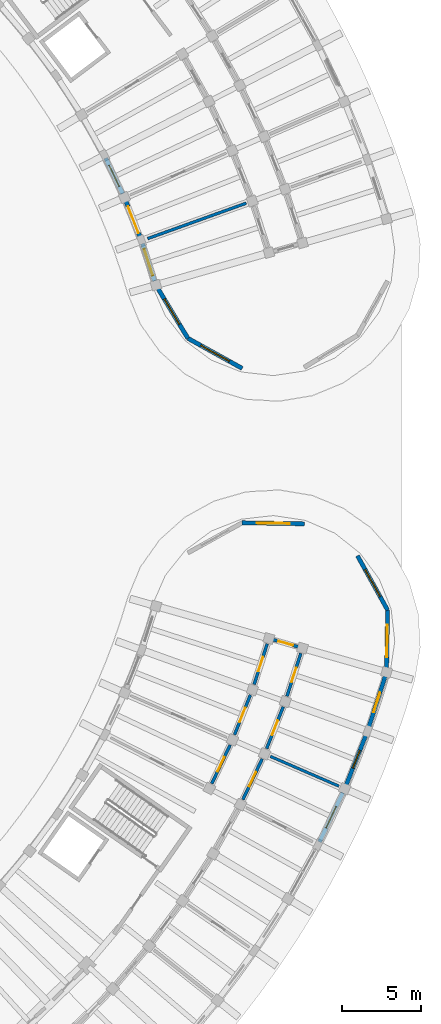
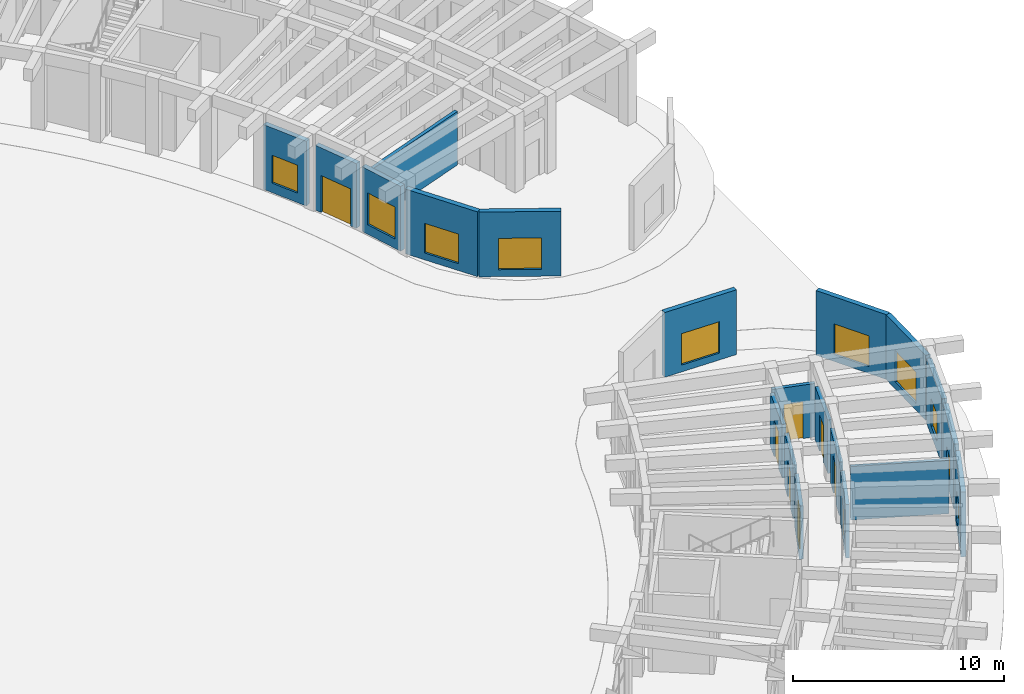
# One storey, part 104 of 132: 20 walls, 10 windows, 8 doors, 18 openings.
"""IFC4 building model written with IfcOpenShell, lengths in metres."""

from ifc_helpers import new_model, si_unit, direction, frame, frame_2d, origin, place, context, subcontext, project, spatial, rectangle, extrude, material, layer, layer_set, type_object, element, fill, save


model = new_model("IFC4")

# Units and contexts
model_context = context("Model", 3, precision=1e-05, world=origin(), true_north=direction((0.0, 1.0)))
body_context = subcontext(model_context, "Body", "Model", "MODEL_VIEW")
ifc_project = project(units=[si_unit("LENGTHUNIT", "METRE"), si_unit("AREAUNIT", "SQUARE_METRE"), si_unit("VOLUMEUNIT", "CUBIC_METRE"), si_unit("PLANEANGLEUNIT", "RADIAN"), si_unit("MASSUNIT", "GRAM", prefix="KILO")], contexts=[model_context])

# Site, building, storey
site_placement = place(None, origin())
site = spatial("IfcSite", under=ifc_project, at=site_placement, CompositionType="ELEMENT")
building_placement = place(site_placement, origin())
building = spatial("IfcBuilding", under=site, at=building_placement, Name="Tanwirah Colonnade Gardens", CompositionType="ELEMENT")
storey_placement = place(building_placement, origin())
storey = spatial("IfcBuildingStorey", under=building, at=storey_placement, Name="L00", CompositionType="ELEMENT", Elevation=0.0)

# Wall, opening, window
ifc_material_1 = material(Name="Limestone architectural precast concrete C40/50", Category="masonry")
ifc_layer_1 = layer(ifc_material_1, 0.260009765625)
ifc_layer_set_1 = layer_set([ifc_layer_1], Name="Limestone architectural precast concrete C40/50")
wall_type_1 = type_object("IfcWallType", Name="EW-PC260", PredefinedType="SOLIDWALL", material=ifc_layer_set_1)
wall_1_placement = place(storey_placement, frame((174.020263671875, 37.40087890625, 0.0), z_axis=(0.0, 0.0, 1.0), x_axis=(0.428562647062, 0.903512068289, 0.0)))
wall_1 = element("IfcWall", 1, at=wall_1_placement, inside=storey, type_object=wall_type_1, Name="Block D L00 OUT Precast Facade Wall 13", PredefinedType="SOLIDWALL", context=body_context, shape_type="SweptSolid", body=[
    extrude(rectangle(XDim=3.436767578125, YDim=0.260009765625, at=frame_2d((1.71826171875, 0.0))), origin(), (0.0, 0.0, 1.0), 3.7548828125),
])
opening_1_placement = place(wall_1_placement, frame((0.978515625, 0.0, 0.550048828125)))
opening_1 = element("IfcOpeningElement", 2, at=opening_1_placement, cuts=wall_1, Name="Opening WIN-T19", PredefinedType="OPENING", context=body_context, shape_type="SweptSolid", body=[
    extrude(rectangle(XDim=1.47998046875, YDim=1.6201171875, at=frame_2d((0.739990234375, 0.81005859375))), frame((0.0, 0.139892578125, 0.0), z_axis=(0.0, -1.0, 0.0), x_axis=(1.0, 0.0, 0.0)), (0.0, 0.0, 1.0), 0.280029296875),
])
ifc_material_2 = material(Name="Thermally broken bronze aluminium and solar low-E double glazing", Category="aluminium")
window_type_1 = type_object("IfcWindowType", Name="WIN-T19", PartitioningType="DOUBLE_PANEL_VERTICAL", PredefinedType="WINDOW", material=ifc_material_2)
window_1_placement = place(opening_1_placement, origin())
window_1 = element("IfcWindow", 3, at=window_1_placement, inside=storey, type_object=window_type_1, Name="Facade window D-L00-OUT-13", OverallHeight=1.6201171875, OverallWidth=1.47998046875, PartitioningType="SINGLE_PANEL", PredefinedType="WINDOW", context=body_context, shape_type="SweptSolid", body=[
    extrude(rectangle(XDim=1.47998046875, YDim=1.6201171875, at=frame_2d((0.739990234375, 0.81005859375))), frame((0.0, 0.030029296875, 0.0), z_axis=(0.0, -1.0, 0.0), x_axis=(1.0, 0.0, 0.0)), (0.0, 0.0, 1.0), 0.06005859375),
])
fill(opening_1, window_1)

wall_2_placement = place(storey_placement, frame((175.712158203125, 41.01025390625, 0.0), z_axis=(0.0, 0.0, 1.0), x_axis=(0.368547399693, 0.929608957669, 0.0)))
wall_2 = element("IfcWall", 4, at=wall_2_placement, inside=storey, type_object=wall_type_1, Name="Block D L00 OUT Precast Facade Wall 14", PredefinedType="SOLIDWALL", context=body_context, shape_type="SweptSolid", body=[
    extrude(rectangle(XDim=3.436767578125, YDim=0.260009765625, at=frame_2d((1.71826171875, 0.0))), origin(), (0.0, 0.0, 1.0), 3.7548828125),
])
opening_2_placement = place(wall_2_placement, frame((1.118408203125, 0.0, 0.550048828125)))
opening_2 = element("IfcOpeningElement", 5, at=opening_2_placement, cuts=wall_2, Name="Opening WIN-U02", PredefinedType="OPENING", context=body_context, shape_type="SweptSolid", body=[
    extrude(rectangle(XDim=1.199951171875, YDim=1.510009765625, at=frame_2d((0.60009765625, 0.7548828125))), frame((0.0, 0.139892578125, 0.0), z_axis=(0.0, -1.0, 0.0), x_axis=(1.0, 0.0, 0.0)), (0.0, 0.0, 1.0), 0.280029296875),
])
window_type_2 = type_object("IfcWindowType", Name="WIN-U02", PartitioningType="DOUBLE_PANEL_VERTICAL", PredefinedType="WINDOW", material=ifc_material_2)
window_2_placement = place(opening_2_placement, origin())
window_2 = element("IfcWindow", 6, at=window_2_placement, inside=storey, type_object=window_type_2, Name="Facade window D-L00-OUT-14", OverallHeight=1.510009765625, OverallWidth=1.199951171875, PartitioningType="SINGLE_PANEL", PredefinedType="WINDOW", context=body_context, shape_type="SweptSolid", body=[
    extrude(rectangle(XDim=1.199951171875, YDim=1.510009765625, at=frame_2d((0.60009765625, 0.7548828125))), frame((0.0, 0.030029296875, 0.0), z_axis=(0.0, -1.0, 0.0), x_axis=(1.0, 0.0, 0.0)), (0.0, 0.0, 1.0), 0.06005859375),
])
fill(opening_2, window_2)

wall_3_placement = place(storey_placement, frame((177.103759765625, 44.55322265625, 0.0), z_axis=(0.0, 0.0, 1.0), x_axis=(0.306963342814, 0.951721338506, 0.0)))
wall_3 = element("IfcWall", 7, at=wall_3_placement, inside=storey, type_object=wall_type_1, Name="Block D L00 OUT Precast Facade Wall 15", PredefinedType="SOLIDWALL", context=body_context, shape_type="SweptSolid", body=[
    extrude(rectangle(XDim=3.436767578125, YDim=0.260009765625, at=frame_2d((1.71826171875, 0.0))), origin(), (0.0, 0.0, 1.0), 3.7548828125),
])
opening_3_placement = place(wall_3_placement, frame((1.058349609375, 0.0, 0.550048828125)))
opening_3 = element("IfcOpeningElement", 8, at=opening_3_placement, cuts=wall_3, Name="Opening WIN-U05", PredefinedType="OPENING", context=body_context, shape_type="SweptSolid", body=[
    extrude(rectangle(XDim=1.320068359375, YDim=1.5849609375, at=frame_2d((0.66015625, 0.79248046875))), frame((0.0, 0.139892578125, 0.0), z_axis=(0.0, -1.0, 0.0), x_axis=(1.0, 0.0, 0.0)), (0.0, 0.0, 1.0), 0.280029296875),
])
window_type_3 = type_object("IfcWindowType", Name="WIN-U05", PartitioningType="DOUBLE_PANEL_VERTICAL", PredefinedType="WINDOW", material=ifc_material_2)
window_3_placement = place(opening_3_placement, origin())
window_3 = element("IfcWindow", 9, at=window_3_placement, inside=storey, type_object=window_type_3, Name="Facade window D-L00-OUT-15", OverallHeight=1.5849609375, OverallWidth=1.320068359375, PartitioningType="SINGLE_PANEL", PredefinedType="WINDOW", context=body_context, shape_type="SweptSolid", body=[
    extrude(rectangle(XDim=1.320068359375, YDim=1.5849609375, at=frame_2d((0.66015625, 0.79248046875))), frame((0.0, 0.030029296875, 0.0), z_axis=(0.0, -1.0, 0.0), x_axis=(1.0, 0.0, 0.0)), (0.0, 0.0, 1.0), 0.06005859375),
])
fill(opening_3, window_3)

wall_4_placement = place(storey_placement, frame((169.1591796875, 57.49267578125, 0.0), z_axis=(0.0, 0.0, 1.0), x_axis=(0.999847005776, -0.017491856396, 0.0)))
wall_4 = element("IfcWall", 10, at=wall_4_placement, inside=storey, type_object=wall_type_1, Name="Block D L00 END Rounded End Wall 2", PredefinedType="SOLIDWALL", context=body_context, shape_type="SweptSolid", body=[
    extrude(rectangle(XDim=3.907958984375, YDim=0.260009765625, at=frame_2d((1.9541015625, 0.0))), origin(), (0.0, 0.0, 1.0), 3.7548828125),
])
opening_4_placement = place(wall_4_placement, frame((0.92919921875, 0.0, 0.39990234375)))
opening_4 = element("IfcOpeningElement", 11, at=opening_4_placement, cuts=wall_4, Name="Opening WIN-END3", PredefinedType="OPENING", context=body_context, shape_type="SweptSolid", body=[
    extrude(rectangle(XDim=2.050048828125, YDim=1.820068359375, at=frame_2d((1.02490234375, 0.91015625))), frame((0.0, 0.139892578125, 0.0), z_axis=(0.0, -1.0, 0.0), x_axis=(1.0, 0.0, 0.0)), (0.0, 0.0, 1.0), 0.280029296875),
])
window_type_4 = type_object("IfcWindowType", Name="WIN-END3", PartitioningType="TRIPLE_PANEL_VERTICAL", PredefinedType="WINDOW", material=ifc_material_2)
window_4_placement = place(opening_4_placement, origin())
window_4 = element("IfcWindow", 12, at=window_4_placement, inside=storey, type_object=window_type_4, Name="Rounded corner window D-L00-END-2", OverallHeight=1.820068359375, OverallWidth=2.050048828125, PartitioningType="SINGLE_PANEL", PredefinedType="WINDOW", context=body_context, shape_type="SweptSolid", body=[
    extrude(rectangle(XDim=2.050048828125, YDim=1.820068359375, at=frame_2d((1.02490234375, 0.91015625))), frame((0.0, 0.030029296875, 0.0), z_axis=(0.0, -1.0, 0.0), x_axis=(1.0, 0.0, 0.0)), (0.0, 0.0, 1.0), 0.06005859375),
])
fill(opening_4, window_4)

wall_5_placement = place(storey_placement, frame((176.41650390625, 55.41162109375, 0.0), z_axis=(0.0, 0.0, 1.0), x_axis=(0.48481530532, -0.874616555828, 0.0)))
wall_5 = element("IfcWall", 13, at=wall_5_placement, inside=storey, type_object=wall_type_1, Name="Block D L00 END Rounded End Wall 4", PredefinedType="SOLIDWALL", context=body_context, shape_type="SweptSolid", body=[
    extrude(rectangle(XDim=3.908203125, YDim=0.260009765625, at=frame_2d((1.9541015625, 0.0))), origin(), (0.0, 0.0, 1.0), 3.7548828125),
])
opening_5_placement = place(wall_5_placement, frame((0.97900390625, 0.0, 0.39990234375)))
opening_5 = element("IfcOpeningElement", 14, at=opening_5_placement, cuts=wall_5, Name="Opening WIN-END2", PredefinedType="OPENING", context=body_context, shape_type="SweptSolid", body=[
    extrude(rectangle(XDim=1.949951171875, YDim=1.780029296875, at=frame_2d((0.97509765625, 0.89013671875))), frame((0.0, 0.139892578125, 0.0), z_axis=(0.0, -1.0, 0.0), x_axis=(1.0, 0.0, 0.0)), (0.0, 0.0, 1.0), 0.280029296875),
])
window_type_5 = type_object("IfcWindowType", Name="WIN-END2", PartitioningType="TRIPLE_PANEL_VERTICAL", PredefinedType="WINDOW", material=ifc_material_2)
window_5_placement = place(opening_5_placement, origin())
window_5 = element("IfcWindow", 15, at=window_5_placement, inside=storey, type_object=window_type_5, Name="Rounded corner window D-L00-END-4", OverallHeight=1.780029296875, OverallWidth=1.949951171875, PartitioningType="SINGLE_PANEL", PredefinedType="WINDOW", context=body_context, shape_type="SweptSolid", body=[
    extrude(rectangle(XDim=1.949951171875, YDim=1.780029296875, at=frame_2d((0.97509765625, 0.89013671875))), frame((0.0, 0.030029296875, 0.0), z_axis=(0.0, -1.0, 0.0), x_axis=(1.0, 0.0, 0.0)), (0.0, 0.0, 1.0), 0.06005859375),
])
fill(opening_5, window_5)

wall_6_placement = place(storey_placement, frame((178.311279296875, 51.993408203125, 0.0), z_axis=(0.0, 0.0, 1.0), x_axis=(-0.017428315893, -0.999848115368, 0.0)))
wall_6 = element("IfcWall", 16, at=wall_6_placement, inside=storey, type_object=wall_type_1, Name="Block D L00 END Rounded End Wall 5", PredefinedType="SOLIDWALL", context=body_context, shape_type="SweptSolid", body=[
    extrude(rectangle(XDim=3.908203125, YDim=0.260009765625, at=frame_2d((1.9541015625, 0.0))), origin(), (0.0, 0.0, 1.0), 3.7548828125),
])
opening_6_placement = place(wall_6_placement, frame((0.92919921875, 0.0, 0.39990234375)))
opening_6 = element("IfcOpeningElement", 17, at=opening_6_placement, cuts=wall_6, Name="Opening WIN-END3", PredefinedType="OPENING", context=body_context, shape_type="SweptSolid", body=[
    extrude(rectangle(XDim=2.050048828125, YDim=1.820068359375, at=frame_2d((1.02490234375, 0.91015625))), frame((0.0, 0.139892578125, 0.0), z_axis=(0.0, -1.0, 0.0), x_axis=(1.0, 0.0, 0.0)), (0.0, 0.0, 1.0), 0.280029296875),
])
window_6_placement = place(opening_6_placement, origin())
window_6 = element("IfcWindow", 18, at=window_6_placement, inside=storey, type_object=window_type_4, Name="Rounded corner window D-L00-END-5", OverallHeight=1.820068359375, OverallWidth=2.050048828125, PartitioningType="SINGLE_PANEL", PredefinedType="WINDOW", context=body_context, shape_type="SweptSolid", body=[
    extrude(rectangle(XDim=2.050048828125, YDim=1.820068359375, at=frame_2d((1.02490234375, 0.91015625))), frame((0.0, 0.030029296875, 0.0), z_axis=(0.0, -1.0, 0.0), x_axis=(1.0, 0.0, 0.0)), (0.0, 0.0, 1.0), 0.06005859375),
])
fill(opening_6, window_6)

ifc_layer_2 = layer(ifc_material_1, 0.27001953125)
ifc_layer_set_2 = layer_set([ifc_layer_2], Name="Limestone architectural precast concrete C40/50")
wall_type_2 = type_object("IfcWallType", Name="EW-PC270", PredefinedType="SOLIDWALL", material=ifc_layer_set_2)
wall_7_placement = place(storey_placement, frame((163.645263671875, 72.708984375, 0.0), z_axis=(0.0, 0.0, 1.0), x_axis=(-0.307206966374, 0.951642726979, 0.0)))
wall_7 = element("IfcWall", 19, at=wall_7_placement, inside=storey, type_object=wall_type_2, Name="Block B L00 IN Precast Facade Wall 0", PredefinedType="SOLIDWALL", context=body_context, shape_type="SweptSolid", body=[
    extrude(rectangle(XDim=2.480224609375, YDim=0.27001953125, at=frame_2d((1.240234375, 0.0))), origin(), (0.0, 0.0, 1.0), 3.7548828125),
])
opening_7_placement = place(wall_7_placement, frame((0.364990234375, 0.0, 0.550048828125)))
opening_7 = element("IfcOpeningElement", 20, at=opening_7_placement, cuts=wall_7, Name="Opening WIN-T13", PredefinedType="OPENING", context=body_context, shape_type="SweptSolid", body=[
    extrude(rectangle(XDim=1.75, YDim=1.85009765625, at=frame_2d((0.875, 0.925048828125))), frame((0.0, 0.14501953125, 0.0), z_axis=(0.0, -1.0, 0.0), x_axis=(1.0, 0.0, 0.0)), (0.0, 0.0, 1.0), 0.2900390625),
])
window_type_6 = type_object("IfcWindowType", Name="WIN-T13", PartitioningType="TRIPLE_PANEL_VERTICAL", PredefinedType="WINDOW", material=ifc_material_2)
window_7_placement = place(opening_7_placement, origin())
window_7 = element("IfcWindow", 21, at=window_7_placement, inside=storey, type_object=window_type_6, Name="Facade window B-L00-IN-00", OverallHeight=1.85009765625, OverallWidth=1.75, PartitioningType="SINGLE_PANEL", PredefinedType="WINDOW", context=body_context, shape_type="SweptSolid", body=[
    extrude(rectangle(XDim=1.75, YDim=1.85009765625, at=frame_2d((0.875, 0.925048828125))), frame((0.0, 0.030029296875, 0.0), z_axis=(0.0, -1.0, 0.0), x_axis=(1.0, 0.0, 0.0)), (0.0, 0.0, 1.0), 0.06005859375),
])
fill(opening_7, window_7)

# Wall, opening, door
wall_8_placement = place(storey_placement, frame((162.761474609375, 75.407958984375, 0.0), z_axis=(0.0, 0.0, 1.0), x_axis=(-0.369234261829, 0.929336354552, 0.0)))
wall_8 = element("IfcWall", 22, at=wall_8_placement, inside=storey, type_object=wall_type_2, Name="Block B L00 IN Precast Facade Wall 1", PredefinedType="SOLIDWALL", context=body_context, shape_type="SweptSolid", body=[
    extrude(rectangle(XDim=2.480224609375, YDim=0.27001953125, at=frame_2d((1.240234375, 0.0))), origin(), (0.0, 0.0, 1.0), 3.7548828125),
])
opening_8_placement = place(wall_8_placement, frame((0.340087890625, 0.0, 0.0)))
opening_8 = element("IfcOpeningElement", 23, at=opening_8_placement, cuts=wall_8, Name="Opening L00-ED068", PredefinedType="OPENING", context=body_context, shape_type="SweptSolid", body=[
    extrude(rectangle(XDim=1.800048828125, YDim=2.14990234375, at=frame_2d((0.89990234375, 1.074951171875))), frame((0.0, 0.14501953125, 0.0), z_axis=(0.0, -1.0, 0.0), x_axis=(1.0, 0.0, 0.0)), (0.0, 0.0, 1.0), 0.2900390625),
])
ifc_material_3 = material(Name="Powder-coated galvanized steel fire exit door", Category="steel")
door_type_1 = type_object("IfcDoorType", Name="ED-EXIT18", OperationType="DOUBLE_DOOR_SINGLE_SWING", PredefinedType="DOOR", material=ifc_material_3)
door_1_placement = place(opening_8_placement, origin())
door_1 = element("IfcDoor", 24, at=door_1_placement, inside=storey, type_object=door_type_1, Name="Pedestrian final exit door L00-ED068", OperationType="DOUBLE_DOOR_SINGLE_SWING", OverallHeight=2.14990234375, OverallWidth=1.800048828125, PredefinedType="DOOR", context=body_context, shape_type="SweptSolid", body=[
    extrude(rectangle(XDim=1.800048828125, YDim=2.14990234375, at=frame_2d((0.89990234375, 1.074951171875))), frame((0.0, 0.02490234375, 0.0), z_axis=(0.0, -1.0, 0.0), x_axis=(1.0, 0.0, 0.0)), (0.0, 0.0, 1.0), 0.050048828125),
])
fill(opening_8, door_1)

# Wall, opening, window
wall_9_placement = place(storey_placement, frame((161.630126953125, 78.207763671875, 0.0), z_axis=(0.0, 0.0, 1.0), x_axis=(-0.429647001864, 0.902996929003, 0.0)))
wall_9 = element("IfcWall", 25, at=wall_9_placement, inside=storey, type_object=wall_type_2, Name="Block B L00 IN Precast Facade Wall 2", PredefinedType="SOLIDWALL", context=body_context, shape_type="SweptSolid", body=[
    extrude(rectangle(XDim=2.48046875, YDim=0.27001953125, at=frame_2d((1.240234375, 0.0))), origin(), (0.0, 0.0, 1.0), 3.7548828125),
])
opening_9_placement = place(wall_9_placement, frame((0.5, 0.0, 0.550048828125)))
opening_9 = element("IfcOpeningElement", 26, at=opening_9_placement, cuts=wall_9, Name="Opening WIN-T19", PredefinedType="OPENING", context=body_context, shape_type="SweptSolid", body=[
    extrude(rectangle(XDim=1.47998046875, YDim=1.6201171875, at=frame_2d((0.739990234375, 0.81005859375))), frame((0.0, 0.14501953125, 0.0), z_axis=(0.0, -1.0, 0.0), x_axis=(1.0, 0.0, 0.0)), (0.0, 0.0, 1.0), 0.2900390625),
])
window_8_placement = place(opening_9_placement, origin())
window_8 = element("IfcWindow", 27, at=window_8_placement, inside=storey, type_object=window_type_1, Name="Facade window B-L00-IN-02", OverallHeight=1.6201171875, OverallWidth=1.47998046875, PartitioningType="SINGLE_PANEL", PredefinedType="WINDOW", context=body_context, shape_type="SweptSolid", body=[
    extrude(rectangle(XDim=1.47998046875, YDim=1.6201171875, at=frame_2d((0.739990234375, 0.81005859375))), frame((0.0, 0.030029296875, 0.0), z_axis=(0.0, -1.0, 0.0), x_axis=(1.0, 0.0, 0.0)), (0.0, 0.0, 1.0), 0.06005859375),
])
fill(opening_9, window_8)

wall_10_placement = place(storey_placement, frame((169.1591796875, 67.20751953125, 0.0), z_axis=(0.0, 0.0, 1.0), x_axis=(-0.874643043537, 0.484767517881, 0.0)))
wall_10 = element("IfcWall", 28, at=wall_10_placement, inside=storey, type_object=wall_type_2, Name="Block B L00 START Rounded End Wall 4", PredefinedType="SOLIDWALL", context=body_context, shape_type="SweptSolid", body=[
    extrude(rectangle(XDim=3.908203125, YDim=0.27001953125, at=frame_2d((1.9541015625, 0.0))), origin(), (0.0, 0.0, 1.0), 3.7548828125),
])
opening_10_placement = place(wall_10_placement, frame((0.92919921875, 0.0, 0.39990234375)))
opening_10 = element("IfcOpeningElement", 29, at=opening_10_placement, cuts=wall_10, Name="Opening WIN-END3", PredefinedType="OPENING", context=body_context, shape_type="SweptSolid", body=[
    extrude(rectangle(XDim=2.050048828125, YDim=1.820068359375, at=frame_2d((1.02490234375, 0.91015625))), frame((0.0, 0.14501953125, 0.0), z_axis=(0.0, -1.0, 0.0), x_axis=(1.0, 0.0, 0.0)), (0.0, 0.0, 1.0), 0.2900390625),
])
window_9_placement = place(opening_10_placement, origin())
window_9 = element("IfcWindow", 30, at=window_9_placement, inside=storey, type_object=window_type_4, Name="Rounded corner window B-L00-START-4", OverallHeight=1.820068359375, OverallWidth=2.050048828125, PartitioningType="SINGLE_PANEL", PredefinedType="WINDOW", context=body_context, shape_type="SweptSolid", body=[
    extrude(rectangle(XDim=2.050048828125, YDim=1.820068359375, at=frame_2d((1.02490234375, 0.91015625))), frame((0.0, 0.030029296875, 0.0), z_axis=(0.0, -1.0, 0.0), x_axis=(1.0, 0.0, 0.0)), (0.0, 0.0, 1.0), 0.06005859375),
])
fill(opening_10, window_9)

wall_11_placement = place(storey_placement, frame((165.740966796875, 69.10205078125, 0.0), z_axis=(0.0, 0.0, 1.0), x_axis=(-0.515037642827, 0.857167560324, 0.0)))
wall_11 = element("IfcWall", 31, at=wall_11_placement, inside=storey, type_object=wall_type_2, Name="Block B L00 START Rounded End Wall 5", PredefinedType="SOLIDWALL", context=body_context, shape_type="SweptSolid", body=[
    extrude(rectangle(XDim=3.908447265625, YDim=0.27001953125, at=frame_2d((1.9541015625, 0.0))), origin(), (0.0, 0.0, 1.0), 3.7548828125),
])
opening_11_placement = place(wall_11_placement, frame((1.029052734375, 0.0, 0.39990234375)))
opening_11 = element("IfcOpeningElement", 32, at=opening_11_placement, cuts=wall_11, Name="Opening WIN-END1", PredefinedType="OPENING", context=body_context, shape_type="SweptSolid", body=[
    extrude(rectangle(XDim=1.85009765625, YDim=1.719970703125, at=frame_2d((0.925048828125, 0.85986328125))), frame((0.0, 0.14501953125, 0.0), z_axis=(0.0, -1.0, 0.0), x_axis=(1.0, 0.0, 0.0)), (0.0, 0.0, 1.0), 0.2900390625),
])
window_type_7 = type_object("IfcWindowType", Name="WIN-END1", PartitioningType="TRIPLE_PANEL_VERTICAL", PredefinedType="WINDOW", material=ifc_material_2)
window_10_placement = place(opening_11_placement, origin())
window_10 = element("IfcWindow", 33, at=window_10_placement, inside=storey, type_object=window_type_7, Name="Rounded corner window B-L00-START-5", OverallHeight=1.719970703125, OverallWidth=1.85009765625, PartitioningType="SINGLE_PANEL", PredefinedType="WINDOW", context=body_context, shape_type="SweptSolid", body=[
    extrude(rectangle(XDim=1.85009765625, YDim=1.719970703125, at=frame_2d((0.925048828125, 0.85986328125))), frame((0.0, 0.030029296875, 0.0), z_axis=(0.0, -1.0, 0.0), x_axis=(1.0, 0.0, 0.0)), (0.0, 0.0, 1.0), 0.06005859375),
])
fill(opening_11, window_10)

# Wall, opening, door
ifc_material_4 = material(Name="Precast concrete C40/50", Category="concrete")
ifc_layer_3 = layer(ifc_material_4, 0.195068359375)
ifc_layer_set_3 = layer_set([ifc_layer_3], Name="Precast concrete C40/50")
wall_type_3 = type_object("IfcWallType", Name="IW-CORR195", PredefinedType="PARTITIONING", material=ifc_layer_set_3)
wall_12_placement = place(storey_placement, frame((169.201416015625, 40.068115234375, 0.0), z_axis=(0.0, 0.0, 1.0), x_axis=(0.428493237107, 0.903544988229, 0.0)))
wall_12 = element("IfcWall", 34, at=wall_12_placement, inside=storey, type_object=wall_type_3, Name="Block D L00 OUT Corridor Wall 13", PredefinedType="PARTITIONING", context=body_context, shape_type="SweptSolid", body=[
    extrude(rectangle(XDim=2.8369140625, YDim=0.195068359375, at=frame_2d((1.41845703125, 0.0))), origin(), (0.0, 0.0, 1.0), 3.10009765625),
])
opening_12_placement = place(wall_12_placement, frame((0.923583984375, 0.0, 0.0)))
opening_12 = element("IfcOpeningElement", 35, at=opening_12_placement, cuts=wall_12, Name="Opening L00-AD1677", PredefinedType="OPENING", context=body_context, shape_type="SweptSolid", body=[
    extrude(rectangle(XDim=0.989990234375, YDim=2.159912109375, at=frame_2d((0.4951171875, 1.080078125))), frame((0.0, 0.107421875, 0.0), z_axis=(0.0, -1.0, 0.0), x_axis=(1.0, 0.0, 0.0)), (0.0, 0.0, 1.0), 0.215087890625),
])
ifc_material_5 = material(Name="Solid oak fire-resisting apartment entrance door")
door_type_2 = type_object("IfcDoorType", Name="ID-FLT099", OperationType="NOTDEFINED", PredefinedType="DOOR", material=ifc_material_5)
door_2_placement = place(opening_12_placement, origin())
door_2 = element("IfcDoor", 36, at=door_2_placement, inside=storey, type_object=door_type_2, Name="Apartment corridor door L00-AD1677", OperationType="SINGLE_SWING_RIGHT", OverallHeight=2.159912109375, OverallWidth=0.989990234375, PredefinedType="DOOR", context=body_context, shape_type="SweptSolid", body=[
    extrude(rectangle(XDim=0.989990234375, YDim=2.159912109375, at=frame_2d((0.4951171875, 1.080078125))), frame((0.0, 0.02490234375, 0.0), z_axis=(0.0, -1.0, 0.0), x_axis=(1.0, 0.0, 0.0)), (0.0, 0.0, 1.0), 0.050048828125),
])
fill(opening_12, door_2)

wall_13_placement = place(storey_placement, frame((167.24560546875, 41.075439453125, 0.0), z_axis=(0.0, 0.0, 1.0), x_axis=(0.428550049392, 0.903518043631, 0.0)))
wall_13 = element("IfcWall", 37, at=wall_13_placement, inside=storey, type_object=wall_type_3, Name="Block D L00 IN Corridor Wall 13", PredefinedType="PARTITIONING", context=body_context, shape_type="SweptSolid", body=[
    extrude(rectangle(XDim=2.69287109375, YDim=0.195068359375, at=frame_2d((1.346435546875, 0.0))), origin(), (0.0, 0.0, 1.0), 3.10009765625),
])
opening_13_placement = place(wall_13_placement, frame((0.8515625, 0.0, 0.0)))
opening_13 = element("IfcOpeningElement", 38, at=opening_13_placement, cuts=wall_13, Name="Opening L00-AD1678", PredefinedType="OPENING", context=body_context, shape_type="SweptSolid", body=[
    extrude(rectangle(XDim=0.989990234375, YDim=2.159912109375, at=frame_2d((0.4951171875, 1.080078125))), frame((0.0, 0.107421875, 0.0), z_axis=(0.0, -1.0, 0.0), x_axis=(1.0, 0.0, 0.0)), (0.0, 0.0, 1.0), 0.215087890625),
])
door_3_placement = place(opening_13_placement, origin())
door_3 = element("IfcDoor", 39, at=door_3_placement, inside=storey, type_object=door_type_2, Name="Apartment corridor door L00-AD1678", OperationType="SINGLE_SWING_LEFT", OverallHeight=2.159912109375, OverallWidth=0.989990234375, PredefinedType="DOOR", context=body_context, shape_type="SweptSolid", body=[
    extrude(rectangle(XDim=0.989990234375, YDim=2.159912109375, at=frame_2d((0.4951171875, 1.080078125))), frame((0.0, 0.02490234375, 0.0), z_axis=(0.0, -1.0, 0.0), x_axis=(1.0, 0.0, 0.0)), (0.0, 0.0, 1.0), 0.050048828125),
])
fill(opening_13, door_3)

wall_14_placement = place(storey_placement, frame((170.696044921875, 43.27294921875, 0.0), z_axis=(0.0, 0.0, 1.0), x_axis=(0.368584691693, 0.929594172233, 0.0)))
wall_14 = element("IfcWall", 40, at=wall_14_placement, inside=storey, type_object=wall_type_3, Name="Block D L00 OUT Corridor Wall 14", PredefinedType="PARTITIONING", context=body_context, shape_type="SweptSolid", body=[
    extrude(rectangle(XDim=2.8369140625, YDim=0.195068359375, at=frame_2d((1.41845703125, 0.0))), origin(), (0.0, 0.0, 1.0), 3.10009765625),
])
opening_14_placement = place(wall_14_placement, frame((0.93359375, 0.0, 0.0)))
opening_14 = element("IfcOpeningElement", 41, at=opening_14_placement, cuts=wall_14, Name="Opening L00-AD1680", PredefinedType="OPENING", context=body_context, shape_type="SweptSolid", body=[
    extrude(rectangle(XDim=0.969970703125, YDim=2.14990234375, at=frame_2d((0.48486328125, 1.074951171875))), frame((0.0, 0.107421875, 0.0), z_axis=(0.0, -1.0, 0.0), x_axis=(1.0, 0.0, 0.0)), (0.0, 0.0, 1.0), 0.215087890625),
])
door_type_3 = type_object("IfcDoorType", Name="ID-FLT097", OperationType="NOTDEFINED", PredefinedType="DOOR", material=ifc_material_5)
door_4_placement = place(opening_14_placement, origin())
door_4 = element("IfcDoor", 42, at=door_4_placement, inside=storey, type_object=door_type_3, Name="Apartment corridor door L00-AD1680", OperationType="SINGLE_SWING_LEFT", OverallHeight=2.14990234375, OverallWidth=0.969970703125, PredefinedType="DOOR", context=body_context, shape_type="SweptSolid", body=[
    extrude(rectangle(XDim=0.969970703125, YDim=2.14990234375, at=frame_2d((0.48486328125, 1.074951171875))), frame((0.0, 0.02490234375, 0.0), z_axis=(0.0, -1.0, 0.0), x_axis=(1.0, 0.0, 0.0)), (0.0, 0.0, 1.0), 0.050048828125),
])
fill(opening_14, door_4)

wall_15_placement = place(storey_placement, frame((168.678466796875, 44.150146484375, 0.0), z_axis=(0.0, 0.0, 1.0), x_axis=(0.368528468945, 0.929616462622, 0.0)))
wall_15 = element("IfcWall", 43, at=wall_15_placement, inside=storey, type_object=wall_type_3, Name="Block D L00 IN Corridor Wall 14", PredefinedType="PARTITIONING", context=body_context, shape_type="SweptSolid", body=[
    extrude(rectangle(XDim=2.69287109375, YDim=0.195068359375, at=frame_2d((1.346435546875, 0.0))), origin(), (0.0, 0.0, 1.0), 3.10009765625),
])
opening_15_placement = place(wall_15_placement, frame((0.861572265625, 0.0, 0.0)))
opening_15 = element("IfcOpeningElement", 44, at=opening_15_placement, cuts=wall_15, Name="Opening L00-AD1681", PredefinedType="OPENING", context=body_context, shape_type="SweptSolid", body=[
    extrude(rectangle(XDim=0.969970703125, YDim=2.14990234375, at=frame_2d((0.48486328125, 1.074951171875))), frame((0.0, 0.107421875, 0.0), z_axis=(0.0, -1.0, 0.0), x_axis=(1.0, 0.0, 0.0)), (0.0, 0.0, 1.0), 0.215087890625),
])
door_5_placement = place(opening_15_placement, origin())
door_5 = element("IfcDoor", 45, at=door_5_placement, inside=storey, type_object=door_type_3, Name="Apartment corridor door L00-AD1681", OperationType="SINGLE_SWING_RIGHT", OverallHeight=2.14990234375, OverallWidth=0.969970703125, PredefinedType="DOOR", context=body_context, shape_type="SweptSolid", body=[
    extrude(rectangle(XDim=0.969970703125, YDim=2.14990234375, at=frame_2d((0.48486328125, 1.074951171875))), frame((0.0, 0.02490234375, 0.0), z_axis=(0.0, -1.0, 0.0), x_axis=(1.0, 0.0, 0.0)), (0.0, 0.0, 1.0), 0.050048828125),
])
fill(opening_15, door_5)

wall_16_placement = place(storey_placement, frame((171.97802734375, 46.568603515625, 0.0), z_axis=(0.0, 0.0, 1.0), x_axis=(0.30694495224, 0.951727269912, 0.0)))
wall_16 = element("IfcWall", 46, at=wall_16_placement, inside=storey, type_object=wall_type_3, Name="Block D L00 OUT Corridor Wall 15", PredefinedType="PARTITIONING", context=body_context, shape_type="SweptSolid", body=[
    extrude(rectangle(XDim=2.837158203125, YDim=0.195068359375, at=frame_2d((1.41845703125, 0.0))), origin(), (0.0, 0.0, 1.0), 3.10009765625),
])
opening_16_placement = place(wall_16_placement, frame((0.943603515625, 0.0, 0.0)))
opening_16 = element("IfcOpeningElement", 47, at=opening_16_placement, cuts=wall_16, Name="Opening L00-AD1682", PredefinedType="OPENING", context=body_context, shape_type="SweptSolid", body=[
    extrude(rectangle(XDim=0.949951171875, YDim=2.1298828125, at=frame_2d((0.47509765625, 1.06494140625))), frame((0.0, 0.107421875, 0.0), z_axis=(0.0, -1.0, 0.0), x_axis=(1.0, 0.0, 0.0)), (0.0, 0.0, 1.0), 0.215087890625),
])
door_type_4 = type_object("IfcDoorType", Name="ID-FLT095", OperationType="NOTDEFINED", PredefinedType="DOOR", material=ifc_material_5)
door_6_placement = place(opening_16_placement, origin())
door_6 = element("IfcDoor", 48, at=door_6_placement, inside=storey, type_object=door_type_4, Name="Apartment corridor door L00-AD1682", OperationType="SINGLE_SWING_RIGHT", OverallHeight=2.1298828125, OverallWidth=0.949951171875, PredefinedType="DOOR", context=body_context, shape_type="SweptSolid", body=[
    extrude(rectangle(XDim=0.949951171875, YDim=2.1298828125, at=frame_2d((0.47509765625, 1.06494140625))), frame((0.0, 0.02490234375, 0.0), z_axis=(0.0, -1.0, 0.0), x_axis=(1.0, 0.0, 0.0)), (0.0, 0.0, 1.0), 0.050048828125),
])
fill(opening_16, door_6)

wall_17_placement = place(storey_placement, frame((169.907470703125, 47.31201171875, 0.0), z_axis=(0.0, 0.0, 1.0), x_axis=(0.306883578189, 0.951747061691, 0.0)))
wall_17 = element("IfcWall", 49, at=wall_17_placement, inside=storey, type_object=wall_type_3, Name="Block D L00 IN Corridor Wall 15", PredefinedType="PARTITIONING", context=body_context, shape_type="SweptSolid", body=[
    extrude(rectangle(XDim=2.69287109375, YDim=0.195068359375, at=frame_2d((1.346435546875, 0.0))), origin(), (0.0, 0.0, 1.0), 3.10009765625),
])
opening_17_placement = place(wall_17_placement, frame((0.87158203125, 0.0, 0.0)))
opening_17 = element("IfcOpeningElement", 50, at=opening_17_placement, cuts=wall_17, Name="Opening L00-AD1683", PredefinedType="OPENING", context=body_context, shape_type="SweptSolid", body=[
    extrude(rectangle(XDim=0.949951171875, YDim=2.1298828125, at=frame_2d((0.47509765625, 1.06494140625))), frame((0.0, 0.107421875, 0.0), z_axis=(0.0, -1.0, 0.0), x_axis=(1.0, 0.0, 0.0)), (0.0, 0.0, 1.0), 0.215087890625),
])
door_7_placement = place(opening_17_placement, origin())
door_7 = element("IfcDoor", 51, at=door_7_placement, inside=storey, type_object=door_type_4, Name="Apartment corridor door L00-AD1683", OperationType="SINGLE_SWING_LEFT", OverallHeight=2.1298828125, OverallWidth=0.949951171875, PredefinedType="DOOR", context=body_context, shape_type="SweptSolid", body=[
    extrude(rectangle(XDim=0.949951171875, YDim=2.1298828125, at=frame_2d((0.47509765625, 1.06494140625))), frame((0.0, 0.02490234375, 0.0), z_axis=(0.0, -1.0, 0.0), x_axis=(1.0, 0.0, 0.0)), (0.0, 0.0, 1.0), 0.050048828125),
])
fill(opening_17, door_7)

wall_18_placement = place(storey_placement, frame((170.889404296875, 50.1943359375, 0.0), z_axis=(0.0, 0.0, 1.0), x_axis=(0.961264701934, -0.275626872449, 0.0)))
wall_18 = element("IfcWall", 52, at=wall_18_placement, inside=storey, type_object=wall_type_3, Name="Block D L00 CE Corner Suite Corridor Wall", PredefinedType="PARTITIONING", context=body_context, shape_type="SweptSolid", body=[
    extrude(rectangle(XDim=2.10009765625, YDim=0.195068359375, at=frame_2d((1.050048828125, 0.0))), origin(), (0.0, 0.0, 1.0), 3.10009765625),
])
opening_18_placement = place(wall_18_placement, frame((0.570068359375, 0.0, 0.0)))
opening_18 = element("IfcOpeningElement", 53, at=opening_18_placement, cuts=wall_18, Name="Opening L00-CD1685", PredefinedType="OPENING", context=body_context, shape_type="SweptSolid", body=[
    extrude(rectangle(XDim=0.949951171875, YDim=2.1298828125, at=frame_2d((0.47509765625, 1.06494140625))), frame((0.0, 0.107421875, 0.0), z_axis=(0.0, -1.0, 0.0), x_axis=(1.0, 0.0, 0.0)), (0.0, 0.0, 1.0), 0.215087890625),
])
door_8_placement = place(opening_18_placement, origin())
door_8 = element("IfcDoor", 54, at=door_8_placement, inside=storey, type_object=door_type_4, Name="Corner suite entrance door L00-CD1685", OperationType="SINGLE_SWING_RIGHT", OverallHeight=2.1298828125, OverallWidth=0.949951171875, PredefinedType="DOOR", context=body_context, shape_type="SweptSolid", body=[
    extrude(rectangle(XDim=0.949951171875, YDim=2.1298828125, at=frame_2d((0.47509765625, 1.06494140625))), frame((0.0, 0.02490234375, 0.0), z_axis=(0.0, -1.0, 0.0), x_axis=(1.0, 0.0, 0.0)), (0.0, 0.0, 1.0), 0.050048828125),
])
fill(opening_18, door_8)

# Walls
ifc_layer_4 = layer(ifc_material_4, 0.175048828125)
ifc_layer_set_4 = layer_set([ifc_layer_4], Name="Precast concrete C40/50")
wall_type_4 = type_object("IfcWallType", Name="IW-DEM175", PredefinedType="PARTITIONING", material=ifc_layer_set_4)
wall_19_placement = place(storey_placement, frame((170.933837890625, 42.7880859375, 0.0), z_axis=(0.0, 0.0, 1.0), x_axis=(0.917071707884, -0.398722312643, 0.0)))
element("IfcWall", 55, at=wall_19_placement, inside=storey, type_object=wall_type_4, Name="Block D L00 Radial Partition 13", PredefinedType="PARTITIONING", context=body_context, shape_type="SweptSolid", body=[
    extrude(rectangle(XDim=4.699951171875, YDim=0.175048828125, at=frame_2d((2.35009765625, 0.0))), origin(), (0.0, 0.0, 1.0), 3.10009765625),
])
ifc_layer_5 = layer(ifc_material_4, 0.18505859375)
ifc_layer_set_5 = layer_set([ifc_layer_5], Name="Precast concrete C40/50")
wall_type_5 = type_object("IfcWallType", Name="IW-DEM185", PredefinedType="PARTITIONING", material=ifc_layer_set_5)
wall_20_placement = place(storey_placement, frame((163.204345703125, 75.3759765625, 0.0), z_axis=(0.0, 0.0, 1.0), x_axis=(0.941005714099, 0.338390670725, 0.0)))
element("IfcWall", 56, at=wall_20_placement, inside=storey, type_object=wall_type_5, Name="Block B L00 Inner Radial Partition 0", PredefinedType="PARTITIONING", context=body_context, shape_type="SweptSolid", body=[
    extrude(rectangle(XDim=6.60009765625, YDim=0.18505859375, at=frame_2d((3.300048828125, 0.0))), origin(), (0.0, 0.0, 1.0), 3.10009765625),
])

save(model, "model.ifc")
